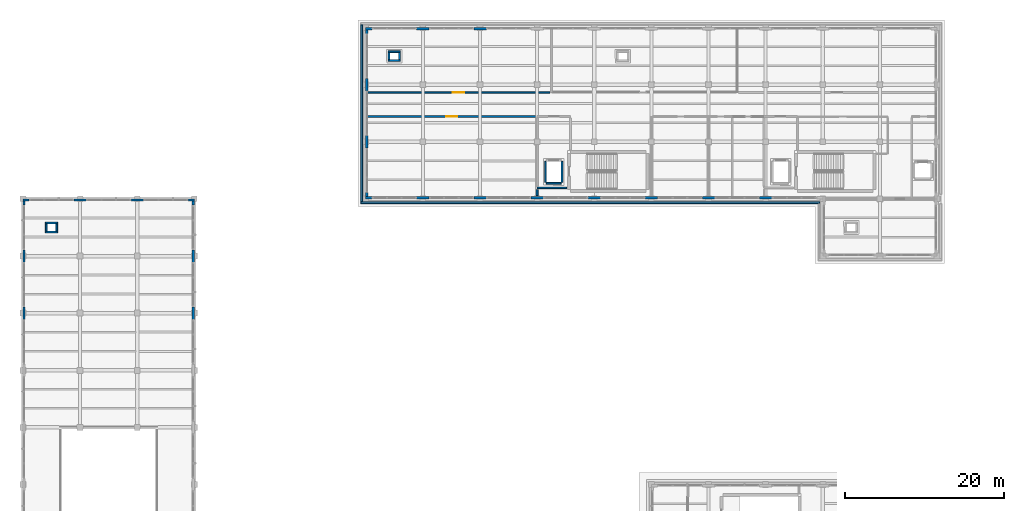
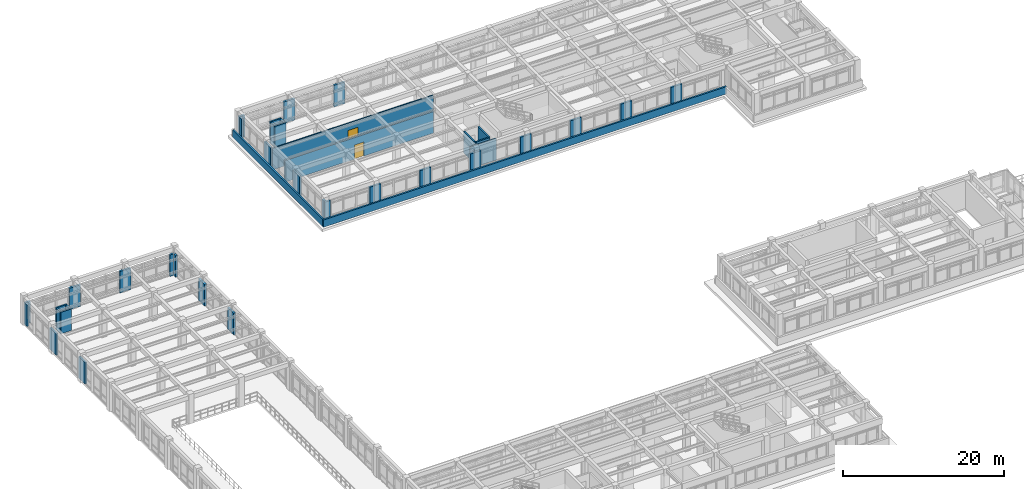
# One storey, part 49 of 64: 42 walls, 2 doors, 2 openings.
"""IFC4 building model written with IfcOpenShell, lengths in metres."""

from ifc_helpers import new_model, si_unit, direction, frame, frame_2d, origin, place, context, subcontext, project, spatial, rectangle, extrude, material, layer, layer_set, type_object, element, fill, save


model = new_model("IFC4")

# Units and contexts
model_context = context("Model", 3, precision=1e-05, world=origin(), true_north=direction((0.0, 1.0)))
body_context = subcontext(model_context, "Body", "Model", "MODEL_VIEW")
ifc_project = project(units=[si_unit("LENGTHUNIT", "METRE"), si_unit("AREAUNIT", "SQUARE_METRE"), si_unit("VOLUMEUNIT", "CUBIC_METRE"), si_unit("PLANEANGLEUNIT", "RADIAN"), si_unit("MASSUNIT", "GRAM", prefix="KILO")], contexts=[model_context])

# Site, building, storey
site_placement = place(None, origin())
site = spatial("IfcSite", under=ifc_project, at=site_placement, CompositionType="ELEMENT")
building_placement = place(site_placement, origin())
building = spatial("IfcBuilding", under=site, at=building_placement, Name="Solenvale Faculty of Natural Sciences", CompositionType="ELEMENT")
storey_placement = place(building_placement, frame((0.0, 0.0, 18.0)))
storey = spatial("IfcBuildingStorey", under=building, at=storey_placement, Name="L04", CompositionType="ELEMENT", Elevation=18.0)

# Walls
ifc_material_1 = material(Name="Precast concrete 40 MPa", Category="concrete")
ifc_layer_1 = layer(ifc_material_1, 0.284912109375)
ifc_layer_set_1 = layer_set([ifc_layer_1], Name="Precast concrete 40 MPa")
wall_type_1 = type_object("IfcWallType", Name="WL-EXT-PRC-285", PredefinedType="STANDARD", material=ifc_layer_set_1)
for number, where, z_axis, x_axis, name in (
    (1, (57.45751953125, 78.412109375, 0.0), (0.0, 0.0, 1.0), (0.0, 1.0, 0.0), "L04 Facade Closure Pier 1.B6-R"),
    (2, (57.45751953125, 85.612060546875, 0.0), (0.0, 0.0, 1.0), (0.0, 1.0, 0.0), "L04 Facade Closure Pier 1.B7-R"),
):
    element("IfcWall", number, at=place(storey_placement, frame(where, z_axis=z_axis, x_axis=x_axis)), inside=storey, type_object=wall_type_1, Name=name, PredefinedType="STANDARD", context=body_context, shape_type="SweptSolid", body=[
        extrude(rectangle(XDim=1.575927734375, YDim=0.284912109375, at=frame_2d((0.7880859375, 0.0))), origin(), (0.0, 0.0, 1.0), 3.260009765625),
    ])
wall_1_placement = place(storey_placement, frame((57.45751953125, 92.81201171875, 0.0), z_axis=(0.0, 0.0, 1.0), x_axis=(0.0, 1.0, 0.0)))
element("IfcWall", 3, at=wall_1_placement, inside=storey, type_object=wall_type_1, Name="L04 Facade Closure Pier 1.B8-R", PredefinedType="STANDARD", context=body_context, shape_type="SweptSolid", body=[
    extrude(rectangle(XDim=0.5029296875, YDim=0.284912109375, at=frame_2d((0.25146484375, 0.0))), origin(), (0.0, 0.0, 1.0), 3.260009765625),
])
wall_2_placement = place(storey_placement, frame((57.60009765625, 93.45751953125, 0.0), z_axis=(0.0, 0.0, 1.0), x_axis=(-1.0, 0.0, 0.0)))
element("IfcWall", 4, at=wall_2_placement, inside=storey, type_object=wall_type_1, Name="L04 Facade Closure Pier 2.B1-L", PredefinedType="STANDARD", context=body_context, shape_type="SweptSolid", body=[
    extrude(rectangle(XDim=0.7880859375, YDim=0.284912109375, at=frame_2d((0.39404296875, 0.0))), origin(), (0.0, 0.0, 1.0), 3.260009765625),
])
for number, where, z_axis, x_axis, name in (
    (5, (51.18798828125, 93.45751953125, 0.0), (0.0, 0.0, 1.0), (-1.0, 0.0, 0.0), "L04 Facade Closure Pier 2.B1-R"),
    (6, (43.988037109375, 93.45751953125, 0.0), (0.0, 0.0, 1.0), (-1.0, 0.0, 0.0), "L04 Facade Closure Pier 2.B2-R"),
):
    element("IfcWall", number, at=place(storey_placement, frame(where, z_axis=z_axis, x_axis=x_axis)), inside=storey, type_object=wall_type_1, Name=name, PredefinedType="STANDARD", context=body_context, shape_type="SweptSolid", body=[
        extrude(rectangle(XDim=1.575927734375, YDim=0.284912109375, at=frame_2d((0.7880859375, 0.0))), origin(), (0.0, 0.0, 1.0), 3.260009765625),
    ])
wall_3_placement = place(storey_placement, frame((36.7880859375, 93.45751953125, 0.0), z_axis=(0.0, 0.0, 1.0), x_axis=(-1.0, 0.0, 0.0)))
element("IfcWall", 7, at=wall_3_placement, inside=storey, type_object=wall_type_1, Name="L04 Facade Closure Pier 2.B3-R", PredefinedType="STANDARD", context=body_context, shape_type="SweptSolid", body=[
    extrude(rectangle(XDim=0.7880859375, YDim=0.284912109375, at=frame_2d((0.39404296875, 0.0))), origin(), (0.0, 0.0, 1.0), 3.260009765625),
])
wall_4_placement = place(storey_placement, frame((36.142578125, 93.31494140625, 0.0), z_axis=(0.0, 0.0, 1.0), x_axis=(0.0, -1.0, 0.0)))
element("IfcWall", 8, at=wall_4_placement, inside=storey, type_object=wall_type_1, Name="L04 Facade Closure Pier 3.B1-L", PredefinedType="STANDARD", context=body_context, shape_type="SweptSolid", body=[
    extrude(rectangle(XDim=0.5029296875, YDim=0.284912109375, at=frame_2d((0.25146484375, 0.0))), origin(), (0.0, 0.0, 1.0), 3.260009765625),
])
for number, where, z_axis, x_axis, name in (
    (9, (36.142578125, 87.18798828125, 0.0), (0.0, 0.0, 1.0), (0.0, -1.0, 0.0), "L04 Facade Closure Pier 3.B1-R"),
    (10, (36.142578125, 79.988037109375, 0.0), (0.0, 0.0, 1.0), (0.0, -1.0, 0.0), "L04 Facade Closure Pier 3.B2-R"),
    (11, (94.387939453125, 115.0576171875, 0.0), (0.0, 0.0, 1.0), (-1.0, 0.0, 0.0), "L04 Facade Closure Pier 4.B8-R"),
    (12, (87.18798828125, 115.0576171875, 0.0), (0.0, 0.0, 1.0), (-1.0, 0.0, 0.0), "L04 Facade Closure Pier 4.B9-R"),
):
    element("IfcWall", number, at=place(storey_placement, frame(where, z_axis=z_axis, x_axis=x_axis)), inside=storey, type_object=wall_type_1, Name=name, PredefinedType="STANDARD", context=body_context, shape_type="SweptSolid", body=[
        extrude(rectangle(XDim=1.575927734375, YDim=0.284912109375, at=frame_2d((0.7880859375, 0.0))), origin(), (0.0, 0.0, 1.0), 3.260009765625),
    ])
wall_5_placement = place(storey_placement, frame((79.988037109375, 115.0576171875, 0.0), z_axis=(0.0, 0.0, 1.0), x_axis=(-1.0, 0.0, 0.0)))
element("IfcWall", 13, at=wall_5_placement, inside=storey, type_object=wall_type_1, Name="L04 Facade Closure Pier 4.B10-R", PredefinedType="STANDARD", context=body_context, shape_type="SweptSolid", body=[
    extrude(rectangle(XDim=0.7880859375, YDim=0.284912109375, at=frame_2d((0.39404296875, 0.0))), origin(), (0.0, 0.0, 1.0), 3.260009765625),
])
wall_6_placement = place(storey_placement, frame((79.342529296875, 114.9150390625, 0.0), z_axis=(0.0, 0.0, 1.0), x_axis=(0.0, -1.0, 0.0)))
element("IfcWall", 14, at=wall_6_placement, inside=storey, type_object=wall_type_1, Name="L04 Facade Closure Pier 5.B1-L", PredefinedType="STANDARD", context=body_context, shape_type="SweptSolid", body=[
    extrude(rectangle(XDim=0.5029296875, YDim=0.284912109375, at=frame_2d((0.25146484375, 0.0))), origin(), (0.0, 0.0, 1.0), 3.260009765625),
])
wall_7_placement = place(storey_placement, frame((79.342529296875, 108.7880859375, 0.0), z_axis=(0.0, 0.0, 1.0), x_axis=(0.0, -1.0, 0.0)))
element("IfcWall", 15, at=wall_7_placement, inside=storey, type_object=wall_type_1, Name="L04 Facade Closure Pier 5.B1-R", PredefinedType="STANDARD", context=body_context, shape_type="SweptSolid", body=[
    extrude(rectangle(XDim=1.576171875, YDim=0.284912109375, at=frame_2d((0.7880859375, 0.0))), origin(), (0.0, 0.0, 1.0), 3.260009765625),
])
wall_8_placement = place(storey_placement, frame((79.342529296875, 101.587890625, 0.0), z_axis=(0.0, 0.0, 1.0), x_axis=(0.0, -1.0, 0.0)))
element("IfcWall", 16, at=wall_8_placement, inside=storey, type_object=wall_type_1, Name="L04 Facade Closure Pier 5.B2-R", PredefinedType="STANDARD", context=body_context, shape_type="SweptSolid", body=[
    extrude(rectangle(XDim=1.575927734375, YDim=0.284912109375, at=frame_2d((0.7880859375, 0.0))), origin(), (0.0, 0.0, 1.0), 3.260009765625),
])
wall_9_placement = place(storey_placement, frame((79.342529296875, 94.387939453125, 0.0), z_axis=(0.0, 0.0, 1.0), x_axis=(0.0, -1.0, 0.0)))
element("IfcWall", 17, at=wall_9_placement, inside=storey, type_object=wall_type_1, Name="L04 Facade Closure Pier 5.B3-R", PredefinedType="STANDARD", context=body_context, shape_type="SweptSolid", body=[
    extrude(rectangle(XDim=0.5029296875, YDim=0.284912109375, at=frame_2d((0.25146484375, 0.0))), origin(), (0.0, 0.0, 1.0), 3.260009765625),
])
wall_10_placement = place(storey_placement, frame((79.199951171875, 93.742431640625, 0.0), z_axis=(0.0, 0.0, 1.0), x_axis=(1.0, 0.0, 0.0)))
element("IfcWall", 18, at=wall_10_placement, inside=storey, type_object=wall_type_1, Name="L04 Facade Closure Pier 6.B1-L", PredefinedType="STANDARD", context=body_context, shape_type="SweptSolid", body=[
    extrude(rectangle(XDim=0.7880859375, YDim=0.284912109375, at=frame_2d((0.39404296875, 0.0))), origin(), (0.0, 0.0, 1.0), 3.260009765625),
])
for number, where, z_axis, x_axis, name in (
    (19, (85.612060546875, 93.742431640625, 0.0), (0.0, 0.0, 1.0), (1.0, 0.0, 0.0), "L04 Facade Closure Pier 6.B1-R"),
    (20, (92.81201171875, 93.742431640625, 0.0), (0.0, 0.0, 1.0), (1.0, 0.0, 0.0), "L04 Facade Closure Pier 6.B2-R"),
    (21, (100.011962890625, 93.742431640625, 0.0), (0.0, 0.0, 1.0), (1.0, 0.0, 0.0), "L04 Facade Closure Pier 6.B3-R"),
):
    element("IfcWall", number, at=place(storey_placement, frame(where, z_axis=z_axis, x_axis=x_axis)), inside=storey, type_object=wall_type_1, Name=name, PredefinedType="STANDARD", context=body_context, shape_type="SweptSolid", body=[
        extrude(rectangle(XDim=1.575927734375, YDim=0.284912109375, at=frame_2d((0.7880859375, 0.0))), origin(), (0.0, 0.0, 1.0), 3.260009765625),
    ])
wall_11_placement = place(storey_placement, frame((107.2119140625, 93.742431640625, 0.0), z_axis=(0.0, 0.0, 1.0), x_axis=(1.0, 0.0, 0.0)))
element("IfcWall", 22, at=wall_11_placement, inside=storey, type_object=wall_type_1, Name="L04 Facade Closure Pier 6.B4-R", PredefinedType="STANDARD", context=body_context, shape_type="SweptSolid", body=[
    extrude(rectangle(XDim=1.576171875, YDim=0.284912109375, at=frame_2d((0.7880859375, 0.0))), origin(), (0.0, 0.0, 1.0), 3.260009765625),
])
for number, where, z_axis, x_axis, name in (
    (23, (114.412109375, 93.742431640625, 0.0), (0.0, 0.0, 1.0), (1.0, 0.0, 0.0), "L04 Facade Closure Pier 6.B5-R"),
    (24, (121.612060546875, 93.742431640625, 0.0), (0.0, 0.0, 1.0), (1.0, 0.0, 0.0), "L04 Facade Closure Pier 6.B6-R"),
    (25, (128.81201171875, 93.742431640625, 0.0), (0.0, 0.0, 1.0), (1.0, 0.0, 0.0), "L04 Facade Closure Pier 6.B7-R"),
):
    element("IfcWall", number, at=place(storey_placement, frame(where, z_axis=z_axis, x_axis=x_axis)), inside=storey, type_object=wall_type_1, Name=name, PredefinedType="STANDARD", context=body_context, shape_type="SweptSolid", body=[
        extrude(rectangle(XDim=1.575927734375, YDim=0.284912109375, at=frame_2d((0.7880859375, 0.0))), origin(), (0.0, 0.0, 1.0), 3.260009765625),
    ])
ifc_material_2 = material(Name="Gypsum fire-rated shaftwall")
ifc_layer_2 = layer(ifc_material_2, 0.205078125)
ifc_layer_set_2 = layer_set([ifc_layer_2], Name="Gypsum fire-rated shaftwall")
wall_type_2 = type_object("IfcWallType", Name="WL-FFL-205", PredefinedType="PARTITIONING", material=ifc_layer_set_2)
wall_12_placement = place(storey_placement, frame((104.5048828125, 95.0, 0.0), z_axis=(0.0, 0.0, 1.0), x_axis=(-1.0, 0.0, 0.0)))
element("IfcWall", 26, at=wall_12_placement, inside=storey, type_object=wall_type_2, Name="L04 Firefighting Lobby C4 Partition 20", PredefinedType="PARTITIONING", context=body_context, shape_type="SweptSolid", body=[
    extrude(rectangle(XDim=3.704833984375, YDim=0.205078125, at=frame_2d((1.8525390625, 0.0))), origin(), (0.0, 0.0, 1.0), 3.260009765625),
])

# Wall, opening, door
ifc_material_3 = material(Name="Gypsum fire-rated laboratory partition")
ifc_layer_3 = layer(ifc_material_3, 0.18505859375)
ifc_layer_set_3 = layer_set([ifc_layer_3], Name="Gypsum fire-rated laboratory partition")
wall_type_3 = type_object("IfcWallType", Name="WL-LAB-185", PredefinedType="PARTITIONING", material=ifc_layer_set_3)
wall_13_placement = place(storey_placement, frame((102.403076171875, 107.02001953125, 0.0), z_axis=(0.0, 0.0, 1.0), x_axis=(-1.0, 0.0, 0.0)))
wall_13 = element("IfcWall", 27, at=wall_13_placement, inside=storey, type_object=wall_type_3, Name="L04 Environmental Genomics Laboratory Partition 4", PredefinedType="PARTITIONING", context=body_context, shape_type="SweptSolid", body=[
    extrude(rectangle(XDim=23.02001953125, YDim=0.18505859375, at=frame_2d((11.510009765625, 0.0))), origin(), (0.0, 0.0, 1.0), 3.260009765625),
])
opening_1_placement = place(wall_13_placement, frame((10.77001953125, 0.0, 0.0)))
opening_1 = element("IfcOpeningElement", 28, at=opening_1_placement, cuts=wall_13, Name="Opening D-L04-13", PredefinedType="OPENING", context=body_context, shape_type="SweptSolid", body=[
    extrude(rectangle(XDim=1.47998046875, YDim=2.199951171875, at=frame_2d((0.739990234375, 1.10009765625))), frame((0.0, 0.1025390625, 0.0), z_axis=(0.0, -1.0, 0.0), x_axis=(1.0, 0.0, 0.0)), (0.0, 0.0, 1.0), 0.205078125),
])
ifc_material_4 = material(Name="Oak acoustic timber leaf", Category="wood")
door_type_1 = type_object("IfcDoorType", Name="DR-LAB-1480x2200", OperationType="NOTDEFINED", PredefinedType="DOOR", material=ifc_material_4)
door_1_placement = place(opening_1_placement, origin())
door_1 = element("IfcDoor", 29, at=door_1_placement, inside=storey, type_object=door_type_1, Name="L04 Environmental Genomics Laboratory Door", OperationType="SINGLE_SWING_LEFT", OverallHeight=2.199951171875, OverallWidth=1.47998046875, PredefinedType="DOOR", context=body_context, shape_type="SweptSolid", body=[
    extrude(rectangle(XDim=1.47998046875, YDim=2.199951171875, at=frame_2d((0.739990234375, 1.10009765625))), frame((0.0, 0.02490234375, 0.0), z_axis=(0.0, -1.0, 0.0), x_axis=(1.0, 0.0, 0.0)), (0.0, 0.0, 1.0), 0.050048828125),
])
fill(opening_1, door_1)

ifc_layer_4 = layer(ifc_material_3, 0.22802734375)
ifc_layer_set_4 = layer_set([ifc_layer_4], Name="Gypsum fire-rated laboratory partition")
wall_type_4 = type_object("IfcWallType", Name="WL-LAB-228", PredefinedType="PARTITIONING", material=ifc_layer_set_4)
wall_14_placement = place(storey_placement, frame((79.383056640625, 103.97998046875, 0.0), z_axis=(0.0, 0.0, 1.0), x_axis=(1.0, 0.0, 0.0)))
wall_14 = element("IfcWall", 30, at=wall_14_placement, inside=storey, type_object=wall_type_4, Name="L04 Earth Sciences Teaching Laboratory Partition 2", PredefinedType="PARTITIONING", context=body_context, shape_type="SweptSolid", body=[
    extrude(rectangle(XDim=21.291015625, YDim=0.22802734375, at=frame_2d((10.6455078125, 0.0))), origin(), (0.0, 0.0, 1.0), 3.260009765625),
])
opening_2_placement = place(wall_14_placement, frame((9.970947265625, 0.0, 0.0)))
opening_2 = element("IfcOpeningElement", 31, at=opening_2_placement, cuts=wall_14, Name="Opening D-L04-08", PredefinedType="OPENING", context=body_context, shape_type="SweptSolid", body=[
    extrude(rectangle(XDim=1.35009765625, YDim=2.14990234375, at=frame_2d((0.675048828125, 1.074951171875))), frame((0.0, 0.1240234375, 0.0), z_axis=(0.0, -1.0, 0.0), x_axis=(1.0, 0.0, 0.0)), (0.0, 0.0, 1.0), 0.248046875),
])
door_type_2 = type_object("IfcDoorType", Name="DR-LAB-1350x2150", OperationType="NOTDEFINED", PredefinedType="DOOR", material=ifc_material_4)
door_2_placement = place(opening_2_placement, origin())
door_2 = element("IfcDoor", 32, at=door_2_placement, inside=storey, type_object=door_type_2, Name="L04 Earth Sciences Teaching Laboratory Door", OperationType="SINGLE_SWING_RIGHT", OverallHeight=2.14990234375, OverallWidth=1.35009765625, PredefinedType="DOOR", context=body_context, shape_type="SweptSolid", body=[
    extrude(rectangle(XDim=1.35009765625, YDim=2.14990234375, at=frame_2d((0.675048828125, 1.074951171875))), frame((0.0, 0.02490234375, 0.0), z_axis=(0.0, -1.0, 0.0), x_axis=(1.0, 0.0, 0.0)), (0.0, 0.0, 1.0), 0.050048828125),
])
fill(opening_2, door_2)

# Walls
wall_15_placement = place(storey_placement, frame((100.800048828125, 94.77099609375, 0.0), z_axis=(0.0, 0.0, 1.0), x_axis=(0.0, -1.0, 0.0)))
element("IfcWall", 33, at=wall_15_placement, inside=storey, type_object=wall_type_4, Name="L04 Earth Sciences Teaching Laboratory Partition 20", PredefinedType="PARTITIONING", context=body_context, shape_type="SweptSolid", body=[
    extrude(rectangle(XDim=0.760009765625, YDim=0.22802734375, at=frame_2d((0.3798828125, 0.0))), origin(), (0.0, 0.0, 1.0), 3.260009765625),
])
ifc_material_5 = material(Name="Architectural bronze concrete 40 MPa", Category="concrete")
ifc_layer_5 = layer(ifc_material_5, 0.239990234375)
ifc_layer_set_5 = layer_set([ifc_layer_5], Name="Architectural bronze concrete 40 MPa")
wall_type_5 = type_object("IfcWallType", Name="WL-PAR-BRZ-240", PredefinedType="PARAPET", material=ifc_layer_set_5)
wall_16_placement = place(storey_placement, frame((78.719970703125, 93.239990234375, 0.0), z_axis=(0.0, 0.0, 1.0), x_axis=(0.0, 1.0, 0.0)))
element("IfcWall", 34, at=wall_16_placement, inside=storey, type_object=wall_type_5, Name="L04 Tower Horizontal Concrete Band 7", PredefinedType="PARAPET", context=body_context, shape_type="SweptSolid", body=[
    extrude(rectangle(XDim=22.320068359375, YDim=0.239990234375, at=frame_2d((11.16015625, 0.0))), origin(), (0.0, 0.0, 1.0), 1.1201171875),
])
wall_17_placement = place(storey_placement, frame((136.43994140625, 93.1201171875, 0.0), z_axis=(0.0, 0.0, 1.0), x_axis=(-1.0, 0.0, 0.0)))
element("IfcWall", 35, at=wall_17_placement, inside=storey, type_object=wall_type_5, Name="L04 Tower Horizontal Concrete Band 13", PredefinedType="PARAPET", context=body_context, shape_type="SweptSolid", body=[
    extrude(rectangle(XDim=57.83984375, YDim=0.239990234375, at=frame_2d((28.919921875, 0.0))), origin(), (0.0, 0.0, 1.0), 1.1201171875),
])
ifc_material_6 = material(Name="Concrete 40 MPa", Category="concrete")
ifc_layer_6 = layer(ifc_material_6, 0.219970703125)
ifc_layer_set_6 = layer_set([ifc_layer_6], Name="Concrete 40 MPa")
wall_type_6 = type_object("IfcWallType", Name="WL-SHF-220", PredefinedType="STANDARD", material=ifc_layer_set_6)
wall_18_placement = place(storey_placement, frame((101.97998046875, 95.570068359375, 0.0), z_axis=(0.0, 0.0, 1.0), x_axis=(1.0, 0.0, 0.0)))
element("IfcWall", 36, at=wall_18_placement, inside=storey, type_object=wall_type_6, Name="Elevator LF-01 L04 Shaft Wall S", PredefinedType="STANDARD", context=body_context, shape_type="SweptSolid", body=[
    extrude(rectangle(XDim=1.840087890625, YDim=0.219970703125, at=frame_2d((0.919921875, 0.0))), origin(), (0.0, 0.0, 1.0), 3.260009765625),
])
for number, where, z_axis, x_axis, name in (
    (37, (101.8701171875, 95.679931640625, 0.0), (0.0, 0.0, 1.0), (0.0, 1.0, 0.0), "Elevator LF-01 L04 Shaft Wall W"),
    (38, (103.929931640625, 95.679931640625, 0.0), (0.0, 0.0, 1.0), (0.0, 1.0, 0.0), "Elevator LF-01 L04 Shaft Wall E"),
):
    element("IfcWall", number, at=place(storey_placement, frame(where, z_axis=z_axis, x_axis=x_axis)), inside=storey, type_object=wall_type_6, Name=name, PredefinedType="STANDARD", context=body_context, shape_type="SweptSolid", body=[
        extrude(rectangle(XDim=2.64013671875, YDim=0.219970703125, at=frame_2d((1.320068359375, 0.0))), origin(), (0.0, 0.0, 1.0), 3.260009765625),
    ])
for number, where, z_axis, x_axis, name in (
    (39, (38.830078125, 89.43994140625, 0.0), (0.0, 0.0, 1.0), (1.0, 0.0, 0.0), "L04 Service Riser Shaft 1 Wall S"),
    (40, (38.830078125, 90.56005859375, 0.0), (0.0, 0.0, 1.0), (1.0, 0.0, 0.0), "L04 Service Riser Shaft 1 Wall N"),
):
    element("IfcWall", number, at=place(storey_placement, frame(where, z_axis=z_axis, x_axis=x_axis)), inside=storey, type_object=wall_type_6, Name=name, PredefinedType="STANDARD", context=body_context, shape_type="SweptSolid", body=[
        extrude(rectangle(XDim=1.5400390625, YDim=0.219970703125, at=frame_2d((0.77001953125, 0.0))), origin(), (0.0, 0.0, 1.0), 3.260009765625),
    ])
for number, where, z_axis, x_axis, name in (
    (41, (38.93994140625, 89.550048828125, 0.0), (0.0, 0.0, 1.0), (0.0, 1.0, 0.0), "L04 Service Riser Shaft 1 Wall W"),
    (42, (40.260009765625, 89.550048828125, 0.0), (0.0, 0.0, 1.0), (0.0, 1.0, 0.0), "L04 Service Riser Shaft 1 Wall E"),
):
    element("IfcWall", number, at=place(storey_placement, frame(where, z_axis=z_axis, x_axis=x_axis)), inside=storey, type_object=wall_type_6, Name=name, PredefinedType="STANDARD", context=body_context, shape_type="SweptSolid", body=[
        extrude(rectangle(XDim=0.89990234375, YDim=0.219970703125, at=frame_2d((0.449951171875, 0.0))), origin(), (0.0, 0.0, 1.0), 3.260009765625),
    ])
for number, where, z_axis, x_axis, name in (
    (43, (82.030029296875, 111.0400390625, 0.0), (0.0, 0.0, 1.0), (1.0, 0.0, 0.0), "L04 Service Riser Shaft 4 Wall S"),
    (44, (82.030029296875, 112.159912109375, 0.0), (0.0, 0.0, 1.0), (1.0, 0.0, 0.0), "L04 Service Riser Shaft 4 Wall N"),
):
    element("IfcWall", number, at=place(storey_placement, frame(where, z_axis=z_axis, x_axis=x_axis)), inside=storey, type_object=wall_type_6, Name=name, PredefinedType="STANDARD", context=body_context, shape_type="SweptSolid", body=[
        extrude(rectangle(XDim=1.5400390625, YDim=0.219970703125, at=frame_2d((0.77001953125, 0.0))), origin(), (0.0, 0.0, 1.0), 3.260009765625),
    ])
for number, where, z_axis, x_axis, name in (
    (45, (82.139892578125, 111.14990234375, 0.0), (0.0, 0.0, 1.0), (0.0, 1.0, 0.0), "L04 Service Riser Shaft 4 Wall W"),
    (46, (83.4599609375, 111.14990234375, 0.0), (0.0, 0.0, 1.0), (0.0, 1.0, 0.0), "L04 Service Riser Shaft 4 Wall E"),
):
    element("IfcWall", number, at=place(storey_placement, frame(where, z_axis=z_axis, x_axis=x_axis)), inside=storey, type_object=wall_type_6, Name=name, PredefinedType="STANDARD", context=body_context, shape_type="SweptSolid", body=[
        extrude(rectangle(XDim=0.900146484375, YDim=0.219970703125, at=frame_2d((0.4501953125, 0.0))), origin(), (0.0, 0.0, 1.0), 3.260009765625),
    ])

save(model, "model.ifc")
